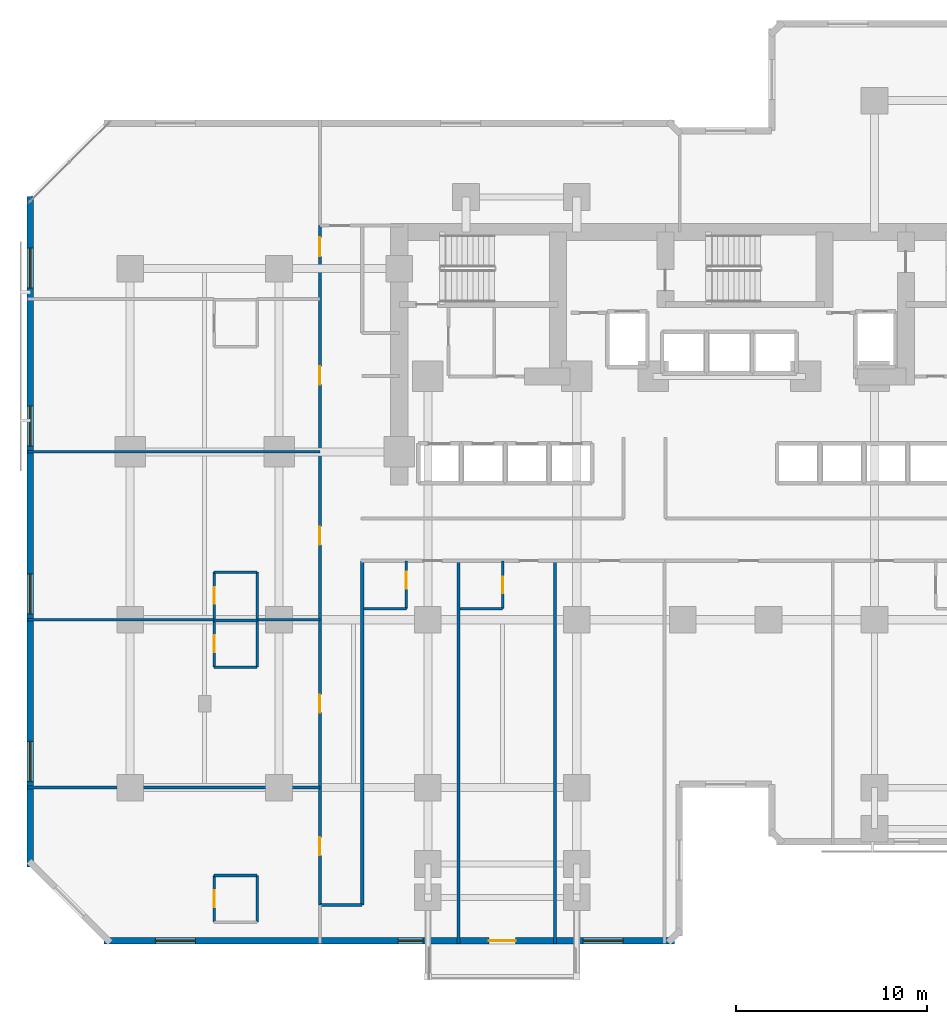
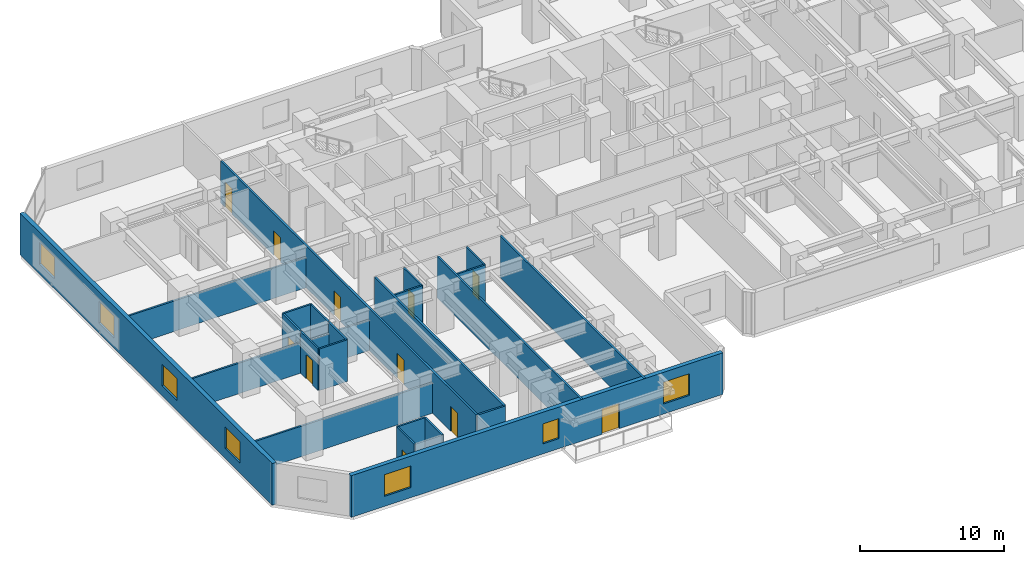
# One storey, part 5 of 12: 25 walls, 11 doors, 7 windows, 18 openings.
"""IFC4 building model written with IfcOpenShell, lengths in metres."""

from ifc_helpers import new_model, si_unit, direction, frame, frame_2d, origin, place, context, subcontext, project, spatial, rectangle, extrude, material, layer, layer_set, type_object, element, fill, save


model = new_model("IFC4")

# Units and contexts
model_context = context("Model", 3, precision=1e-05, world=origin(), true_north=direction((0.0, 1.0)))
body_context = subcontext(model_context, "Body", "Model", "MODEL_VIEW")
ifc_project = project(units=[si_unit("LENGTHUNIT", "METRE"), si_unit("AREAUNIT", "SQUARE_METRE"), si_unit("VOLUMEUNIT", "CUBIC_METRE"), si_unit("PLANEANGLEUNIT", "RADIAN"), si_unit("MASSUNIT", "GRAM", prefix="KILO")], contexts=[model_context])

# Site, building, storey
site_placement = place(None, origin())
site = spatial("IfcSite", under=ifc_project, at=site_placement, CompositionType="ELEMENT")
building_placement = place(site_placement, origin())
building = spatial("IfcBuilding", under=site, at=building_placement, Name="Kestravale Grand Hotel", CompositionType="ELEMENT")
storey_placement = place(building_placement, frame((0.0, 0.0, 64.0)))
storey = spatial("IfcBuildingStorey", under=building, at=storey_placement, Name="L15", CompositionType="ELEMENT", Elevation=64.0)

# Wall, openings, door, windows
ifc_material_1 = material(Name="Precast concrete f'c 45 MPa", Category="concrete")
ifc_layer_1 = layer(ifc_material_1, 0.340087890625)
ifc_layer_set_1 = layer_set([ifc_layer_1], Name="EW-PREC-340")
wall_type_1 = type_object("IfcWallType", Name="EW-PREC-340", PredefinedType="SOLIDWALL", material=ifc_layer_set_1)
wall_1_placement = place(storey_placement, frame((6.429931640625, 3.169921875, 0.0), z_axis=(0.0, 0.0, 1.0), x_axis=(1.0, 0.0, 0.0)))
wall_1 = element("IfcWall", 1, at=wall_1_placement, inside=storey, type_object=wall_type_1, Name="L15 fluted precast facade wall 1", PredefinedType="SOLIDWALL", context=body_context, shape_type="SweptSolid", body=[
    extrude(rectangle(XDim=29.89013671875, YDim=0.340087890625, at=frame_2d((14.945068359375, 0.0))), origin(), (0.0, 0.0, 1.0), 3.5400390625),
])
opening_1_placement = place(wall_1_placement, frame((20.169921875, 0.0, 0.0)))
opening_1 = element("IfcOpeningElement", 2, at=opening_1_placement, cuts=wall_1, Name="Opening D-TERR-1400", PredefinedType="OPENING", context=body_context, shape_type="SweptSolid", body=[
    extrude(rectangle(XDim=1.39990234375, YDim=2.14990234375, at=frame_2d((0.699951171875, 1.074951171875))), frame((0.0, 0.179931640625, 0.0), z_axis=(0.0, -1.0, 0.0), x_axis=(1.0, 0.0, 0.0)), (0.0, 0.0, 1.0), 0.360107421875),
])
opening_2_placement = place(wall_1_placement, frame((2.686279296875, 0.0, 0.85009765625)))
opening_2 = element("IfcOpeningElement", 3, at=opening_2_placement, cuts=wall_1, Name="Opening W-GUEST-2100", PredefinedType="OPENING", context=body_context, shape_type="SweptSolid", body=[
    extrude(rectangle(XDim=2.10009765625, YDim=1.85009765625, at=frame_2d((1.050048828125, 0.925048828125))), frame((0.0, 0.179931640625, 0.0), z_axis=(0.0, -1.0, 0.0), x_axis=(1.0, 0.0, 0.0)), (0.0, 0.0, 1.0), 0.360107421875),
])
opening_3_placement = place(wall_1_placement, frame((25.103759765625, 0.0, 0.85009765625)))
opening_3 = element("IfcOpeningElement", 4, at=opening_3_placement, cuts=wall_1, Name="Opening W-GUEST-2100", PredefinedType="OPENING", context=body_context, shape_type="SweptSolid", body=[
    extrude(rectangle(XDim=2.10009765625, YDim=1.85009765625, at=frame_2d((1.050048828125, 0.925048828125))), frame((0.0, 0.179931640625, 0.0), z_axis=(0.0, -1.0, 0.0), x_axis=(1.0, 0.0, 0.0)), (0.0, 0.0, 1.0), 0.360107421875),
])
opening_4_placement = place(wall_1_placement, frame((15.405029296875, 0.0, 0.85009765625)))
opening_4 = element("IfcOpeningElement", 5, at=opening_4_placement, cuts=wall_1, Name="Opening W-GUEST-1300", PredefinedType="OPENING", context=body_context, shape_type="SweptSolid", body=[
    extrude(rectangle(XDim=1.300048828125, YDim=1.699951171875, at=frame_2d((0.64990234375, 0.85009765625))), frame((0.0, 0.179931640625, 0.0), z_axis=(0.0, -1.0, 0.0), x_axis=(1.0, 0.0, 0.0)), (0.0, 0.0, 1.0), 0.360107421875),
])
ifc_material_2 = material(Name="Insulated glazed champagne-bronze aluminium door", Category="aluminium")
door_type_1 = type_object("IfcDoorType", Name="D-TERR-1400", OperationType="NOTDEFINED", PredefinedType="DOOR", material=ifc_material_2)
door_1_placement = place(opening_1_placement, origin())
door_1 = element("IfcDoor", 6, at=door_1_placement, inside=storey, type_object=door_type_1, Name="L15 outdoor garden terrace door", OperationType="DOUBLE_DOOR_SINGLE_SWING", OverallHeight=2.14990234375, OverallWidth=1.39990234375, PredefinedType="DOOR", context=body_context, shape_type="SweptSolid", body=[
    extrude(rectangle(XDim=1.39990234375, YDim=2.14990234375, at=frame_2d((0.699951171875, 1.074951171875))), frame((0.0, 0.02490234375, 0.0), z_axis=(0.0, -1.0, 0.0), x_axis=(1.0, 0.0, 0.0)), (0.0, 0.0, 1.0), 0.050048828125),
])
fill(opening_1, door_1)
ifc_material_3 = material(Name="Insulated low-E double glazing in aluminium frame", Category="aluminium")
window_type_1 = type_object("IfcWindowType", Name="W-GUEST-1300", PartitioningType="SINGLE_PANEL", PredefinedType="WINDOW", material=ifc_material_3)
window_1_placement = place(opening_4_placement, origin())
window_1 = element("IfcWindow", 7, at=window_1_placement, inside=storey, type_object=window_type_1, Name="L15 guestroom envelope window 1", OverallHeight=1.699951171875, OverallWidth=1.300048828125, PartitioningType="SINGLE_PANEL", PredefinedType="WINDOW", context=body_context, shape_type="SweptSolid", body=[
    extrude(rectangle(XDim=1.300048828125, YDim=1.699951171875, at=frame_2d((0.64990234375, 0.85009765625))), frame((0.0, 0.030029296875, 0.0), z_axis=(0.0, -1.0, 0.0), x_axis=(1.0, 0.0, 0.0)), (0.0, 0.0, 1.0), 0.06005859375),
])
fill(opening_4, window_1)
ifc_material_4 = material(Name="Insulated low-E double glazing in aluminium frame", Category="aluminium")
window_type_2 = type_object("IfcWindowType", Name="W-GUEST-2100", PartitioningType="DOUBLE_PANEL_VERTICAL", PredefinedType="WINDOW", material=ifc_material_4)
window_2_placement = place(opening_2_placement, origin())
window_2 = element("IfcWindow", 8, at=window_2_placement, inside=storey, type_object=window_type_2, Name="L15 exterior window 1.1", OverallHeight=1.85009765625, OverallWidth=2.10009765625, PartitioningType="SINGLE_PANEL", PredefinedType="WINDOW", context=body_context, shape_type="SweptSolid", body=[
    extrude(rectangle(XDim=2.10009765625, YDim=1.85009765625, at=frame_2d((1.050048828125, 0.925048828125))), frame((0.0, 0.030029296875, 0.0), z_axis=(0.0, -1.0, 0.0), x_axis=(1.0, 0.0, 0.0)), (0.0, 0.0, 1.0), 0.06005859375),
])
fill(opening_2, window_2)
window_3_placement = place(opening_3_placement, origin())
window_3 = element("IfcWindow", 9, at=window_3_placement, inside=storey, type_object=window_type_2, Name="L15 exterior window 1.2", OverallHeight=1.85009765625, OverallWidth=2.10009765625, PartitioningType="SINGLE_PANEL", PredefinedType="WINDOW", context=body_context, shape_type="SweptSolid", body=[
    extrude(rectangle(XDim=2.10009765625, YDim=1.85009765625, at=frame_2d((1.050048828125, 0.925048828125))), frame((0.0, 0.030029296875, 0.0), z_axis=(0.0, -1.0, 0.0), x_axis=(1.0, 0.0, 0.0)), (0.0, 0.0, 1.0), 0.06005859375),
])
fill(opening_3, window_3)

# Wall, openings, windows
wall_2_placement = place(storey_placement, frame((2.570068359375, 42.169921875, 0.0), z_axis=(0.0, 0.0, 1.0), x_axis=(0.0, -1.0, 0.0)))
wall_2 = element("IfcWall", 10, at=wall_2_placement, inside=storey, type_object=wall_type_1, Name="L15 fluted precast facade wall 19", PredefinedType="SOLIDWALL", context=body_context, shape_type="SweptSolid", body=[
    extrude(rectangle(XDim=35.139892578125, YDim=0.340087890625, at=frame_2d((17.56982421875, 0.0))), origin(), (0.0, 0.0, 1.0), 3.5400390625),
])
opening_5_placement = place(wall_2_placement, frame((2.6923828125, 0.0, 0.85009765625)))
opening_5 = element("IfcOpeningElement", 11, at=opening_5_placement, cuts=wall_2, Name="Opening W-GUEST-2100", PredefinedType="OPENING", context=body_context, shape_type="SweptSolid", body=[
    extrude(rectangle(XDim=2.10009765625, YDim=1.85009765625, at=frame_2d((1.050048828125, 0.925048828125))), frame((0.0, 0.179931640625, 0.0), z_axis=(0.0, -1.0, 0.0), x_axis=(1.0, 0.0, 0.0)), (0.0, 0.0, 1.0), 0.360107421875),
])
opening_6_placement = place(wall_2_placement, frame((10.9775390625, 0.0, 0.85009765625)))
opening_6 = element("IfcOpeningElement", 12, at=opening_6_placement, cuts=wall_2, Name="Opening W-GUEST-2100", PredefinedType="OPENING", context=body_context, shape_type="SweptSolid", body=[
    extrude(rectangle(XDim=2.10009765625, YDim=1.85009765625, at=frame_2d((1.050048828125, 0.925048828125))), frame((0.0, 0.179931640625, 0.0), z_axis=(0.0, -1.0, 0.0), x_axis=(1.0, 0.0, 0.0)), (0.0, 0.0, 1.0), 0.360107421875),
])
opening_7_placement = place(wall_2_placement, frame((19.762451171875, 0.0, 0.85009765625)))
opening_7 = element("IfcOpeningElement", 13, at=opening_7_placement, cuts=wall_2, Name="Opening W-GUEST-2100", PredefinedType="OPENING", context=body_context, shape_type="SweptSolid", body=[
    extrude(rectangle(XDim=2.10009765625, YDim=1.85009765625, at=frame_2d((1.050048828125, 0.925048828125))), frame((0.0, 0.179931640625, 0.0), z_axis=(0.0, -1.0, 0.0), x_axis=(1.0, 0.0, 0.0)), (0.0, 0.0, 1.0), 0.360107421875),
])
opening_8_placement = place(wall_2_placement, frame((28.547607421875, 0.0, 0.85009765625)))
opening_8 = element("IfcOpeningElement", 14, at=opening_8_placement, cuts=wall_2, Name="Opening W-GUEST-2100", PredefinedType="OPENING", context=body_context, shape_type="SweptSolid", body=[
    extrude(rectangle(XDim=2.10009765625, YDim=1.85009765625, at=frame_2d((1.050048828125, 0.925048828125))), frame((0.0, 0.179931640625, 0.0), z_axis=(0.0, -1.0, 0.0), x_axis=(1.0, 0.0, 0.0)), (0.0, 0.0, 1.0), 0.360107421875),
])
window_4_placement = place(opening_5_placement, origin())
window_4 = element("IfcWindow", 15, at=window_4_placement, inside=storey, type_object=window_type_2, Name="L15 exterior window 19.1", OverallHeight=1.85009765625, OverallWidth=2.10009765625, PartitioningType="SINGLE_PANEL", PredefinedType="WINDOW", context=body_context, shape_type="SweptSolid", body=[
    extrude(rectangle(XDim=2.10009765625, YDim=1.85009765625, at=frame_2d((1.050048828125, 0.925048828125))), frame((0.0, 0.030029296875, 0.0), z_axis=(0.0, -1.0, 0.0), x_axis=(1.0, 0.0, 0.0)), (0.0, 0.0, 1.0), 0.06005859375),
])
fill(opening_5, window_4)
window_5_placement = place(opening_6_placement, origin())
window_5 = element("IfcWindow", 16, at=window_5_placement, inside=storey, type_object=window_type_2, Name="L15 exterior window 19.2", OverallHeight=1.85009765625, OverallWidth=2.10009765625, PartitioningType="SINGLE_PANEL", PredefinedType="WINDOW", context=body_context, shape_type="SweptSolid", body=[
    extrude(rectangle(XDim=2.10009765625, YDim=1.85009765625, at=frame_2d((1.050048828125, 0.925048828125))), frame((0.0, 0.030029296875, 0.0), z_axis=(0.0, -1.0, 0.0), x_axis=(1.0, 0.0, 0.0)), (0.0, 0.0, 1.0), 0.06005859375),
])
fill(opening_6, window_5)
window_6_placement = place(opening_7_placement, origin())
window_6 = element("IfcWindow", 17, at=window_6_placement, inside=storey, type_object=window_type_2, Name="L15 exterior window 19.3", OverallHeight=1.85009765625, OverallWidth=2.10009765625, PartitioningType="SINGLE_PANEL", PredefinedType="WINDOW", context=body_context, shape_type="SweptSolid", body=[
    extrude(rectangle(XDim=2.10009765625, YDim=1.85009765625, at=frame_2d((1.050048828125, 0.925048828125))), frame((0.0, 0.030029296875, 0.0), z_axis=(0.0, -1.0, 0.0), x_axis=(1.0, 0.0, 0.0)), (0.0, 0.0, 1.0), 0.06005859375),
])
fill(opening_7, window_6)
window_7_placement = place(opening_8_placement, origin())
window_7 = element("IfcWindow", 18, at=window_7_placement, inside=storey, type_object=window_type_2, Name="L15 exterior window 19.4", OverallHeight=1.85009765625, OverallWidth=2.10009765625, PartitioningType="SINGLE_PANEL", PredefinedType="WINDOW", context=body_context, shape_type="SweptSolid", body=[
    extrude(rectangle(XDim=2.10009765625, YDim=1.85009765625, at=frame_2d((1.050048828125, 0.925048828125))), frame((0.0, 0.030029296875, 0.0), z_axis=(0.0, -1.0, 0.0), x_axis=(1.0, 0.0, 0.0)), (0.0, 0.0, 1.0), 0.06005859375),
])
fill(opening_8, window_7)

# Wall, openings, doors
ifc_material_5 = material(Name="Acoustic fire-rated gypsum board partition", Category="other")
ifc_layer_2 = layer(ifc_material_5, 0.159912109375)
ifc_layer_set_2 = layer_set([ifc_layer_2], Name="IW-CORR-160")
wall_type_2 = type_object("IfcWallType", Name="IW-CORR-160", PredefinedType="PARTITIONING", material=ifc_layer_set_2)
wall_3_placement = place(storey_placement, frame((17.739990234375, 5.050048828125, 0.0), z_axis=(0.0, 0.0, 1.0), x_axis=(0.0, 1.0, 0.0)))
wall_3 = element("IfcWall", 19, at=wall_3_placement, inside=storey, type_object=wall_type_2, Name="W-L15-SW-W", PredefinedType="PARTITIONING", context=body_context, shape_type="SweptSolid", body=[
    extrude(rectangle(XDim=35.599853515625, YDim=0.159912109375, at=frame_2d((17.7998046875, 0.0))), origin(), (0.0, 0.0, 1.0), 3.5400390625),
])
opening_9_placement = place(wall_3_placement, frame((2.60009765625, 0.0, 0.0)))
opening_9 = element("IfcOpeningElement", 20, at=opening_9_placement, cuts=wall_3, Name="Opening D-GUEST-950", PredefinedType="OPENING", context=body_context, shape_type="SweptSolid", body=[
    extrude(rectangle(XDim=0.949951171875, YDim=2.10009765625, at=frame_2d((0.47509765625, 1.050048828125))), frame((0.0, 0.08984375, 0.0), z_axis=(0.0, -1.0, 0.0), x_axis=(1.0, 0.0, 0.0)), (0.0, 0.0, 1.0), 0.179931640625),
])
opening_10_placement = place(wall_3_placement, frame((10.074951171875, 0.0, 0.0)))
opening_10 = element("IfcOpeningElement", 21, at=opening_10_placement, cuts=wall_3, Name="Opening D-GUEST-950", PredefinedType="OPENING", context=body_context, shape_type="SweptSolid", body=[
    extrude(rectangle(XDim=0.949951171875, YDim=2.10009765625, at=frame_2d((0.47509765625, 1.050048828125))), frame((0.0, 0.08984375, 0.0), z_axis=(0.0, -1.0, 0.0), x_axis=(1.0, 0.0, 0.0)), (0.0, 0.0, 1.0), 0.179931640625),
])
opening_11_placement = place(wall_3_placement, frame((18.875, 0.0, 0.0)))
opening_11 = element("IfcOpeningElement", 22, at=opening_11_placement, cuts=wall_3, Name="Opening D-GUEST-950", PredefinedType="OPENING", context=body_context, shape_type="SweptSolid", body=[
    extrude(rectangle(XDim=0.949951171875, YDim=2.10009765625, at=frame_2d((0.47509765625, 1.050048828125))), frame((0.0, 0.08984375, 0.0), z_axis=(0.0, -1.0, 0.0), x_axis=(1.0, 0.0, 0.0)), (0.0, 0.0, 1.0), 0.179931640625),
])
opening_12_placement = place(wall_3_placement, frame((27.27490234375, 0.0, 0.0)))
opening_12 = element("IfcOpeningElement", 23, at=opening_12_placement, cuts=wall_3, Name="Opening D-GUEST-950", PredefinedType="OPENING", context=body_context, shape_type="SweptSolid", body=[
    extrude(rectangle(XDim=0.949951171875, YDim=2.10009765625, at=frame_2d((0.47509765625, 1.050048828125))), frame((0.0, 0.08984375, 0.0), z_axis=(0.0, -1.0, 0.0), x_axis=(1.0, 0.0, 0.0)), (0.0, 0.0, 1.0), 0.179931640625),
])
opening_13_placement = place(wall_3_placement, frame((33.985595703125, 0.0, 0.0)))
opening_13 = element("IfcOpeningElement", 24, at=opening_13_placement, cuts=wall_3, Name="Opening D-GUEST-1000", PredefinedType="OPENING", context=body_context, shape_type="SweptSolid", body=[
    extrude(rectangle(XDim=1.0, YDim=2.14990234375, at=frame_2d((0.5, 1.074951171875))), frame((0.0, 0.08984375, 0.0), z_axis=(0.0, -1.0, 0.0), x_axis=(1.0, 0.0, 0.0)), (0.0, 0.0, 1.0), 0.179931640625),
])
ifc_material_6 = material(Name="Accessible walnut veneer hotel entrance fire door", Category="wood")
door_type_2 = type_object("IfcDoorType", Name="D-GUEST-1000", OperationType="NOTDEFINED", PredefinedType="DOOR", material=ifc_material_6)
door_2_placement = place(opening_13_placement, origin())
door_2 = element("IfcDoor", 25, at=door_2_placement, inside=storey, type_object=door_type_2, Name="D-L15-AMWW", OperationType="SINGLE_SWING_LEFT", OverallHeight=2.14990234375, OverallWidth=1.0, PredefinedType="DOOR", context=body_context, shape_type="SweptSolid", body=[
    extrude(rectangle(XDim=1.0, YDim=2.14990234375, at=frame_2d((0.5, 1.074951171875))), frame((0.0, 0.02490234375, 0.0), z_axis=(0.0, -1.0, 0.0), x_axis=(1.0, 0.0, 0.0)), (0.0, 0.0, 1.0), 0.050048828125),
])
fill(opening_13, door_2)
ifc_material_7 = material(Name="Walnut veneer hotel guestroom entrance fire door", Category="wood")
door_type_3 = type_object("IfcDoorType", Name="D-GUEST-950", OperationType="NOTDEFINED", PredefinedType="DOOR", material=ifc_material_7)
door_3_placement = place(opening_9_placement, origin())
door_3 = element("IfcDoor", 26, at=door_3_placement, inside=storey, type_object=door_type_3, Name="D-L15-U05-ENT", OperationType="SINGLE_SWING_RIGHT", OverallHeight=2.10009765625, OverallWidth=0.949951171875, PredefinedType="DOOR", context=body_context, shape_type="SweptSolid", body=[
    extrude(rectangle(XDim=0.949951171875, YDim=2.10009765625, at=frame_2d((0.47509765625, 1.050048828125))), frame((0.0, 0.02490234375, 0.0), z_axis=(0.0, -1.0, 0.0), x_axis=(1.0, 0.0, 0.0)), (0.0, 0.0, 1.0), 0.050048828125),
])
fill(opening_9, door_3)
door_4_placement = place(opening_10_placement, origin())
door_4 = element("IfcDoor", 27, at=door_4_placement, inside=storey, type_object=door_type_3, Name="D-L15-U06-ENT", OperationType="SINGLE_SWING_RIGHT", OverallHeight=2.10009765625, OverallWidth=0.949951171875, PredefinedType="DOOR", context=body_context, shape_type="SweptSolid", body=[
    extrude(rectangle(XDim=0.949951171875, YDim=2.10009765625, at=frame_2d((0.47509765625, 1.050048828125))), frame((0.0, 0.02490234375, 0.0), z_axis=(0.0, -1.0, 0.0), x_axis=(1.0, 0.0, 0.0)), (0.0, 0.0, 1.0), 0.050048828125),
])
fill(opening_10, door_4)
door_5_placement = place(opening_11_placement, origin())
door_5 = element("IfcDoor", 28, at=door_5_placement, inside=storey, type_object=door_type_3, Name="D-L15-U07-ENT", OperationType="SINGLE_SWING_RIGHT", OverallHeight=2.10009765625, OverallWidth=0.949951171875, PredefinedType="DOOR", context=body_context, shape_type="SweptSolid", body=[
    extrude(rectangle(XDim=0.949951171875, YDim=2.10009765625, at=frame_2d((0.47509765625, 1.050048828125))), frame((0.0, 0.02490234375, 0.0), z_axis=(0.0, -1.0, 0.0), x_axis=(1.0, 0.0, 0.0)), (0.0, 0.0, 1.0), 0.050048828125),
])
fill(opening_11, door_5)
door_6_placement = place(opening_12_placement, origin())
door_6 = element("IfcDoor", 29, at=door_6_placement, inside=storey, type_object=door_type_3, Name="D-L15-U08-ENT", OperationType="SINGLE_SWING_RIGHT", OverallHeight=2.10009765625, OverallWidth=0.949951171875, PredefinedType="DOOR", context=body_context, shape_type="SweptSolid", body=[
    extrude(rectangle(XDim=0.949951171875, YDim=2.10009765625, at=frame_2d((0.47509765625, 1.050048828125))), frame((0.0, 0.02490234375, 0.0), z_axis=(0.0, -1.0, 0.0), x_axis=(1.0, 0.0, 0.0)), (0.0, 0.0, 1.0), 0.050048828125),
])
fill(opening_12, door_6)

# Wall
wall_4_placement = place(storey_placement, frame((19.9599609375, 5.050048828125, 0.0), z_axis=(0.0, 0.0, 1.0), x_axis=(0.0, 1.0, 0.0)))
element("IfcWall", 30, at=wall_4_placement, inside=storey, type_object=wall_type_2, Name="W-L15-SW-E", PredefinedType="PARTITIONING", context=body_context, shape_type="SweptSolid", body=[
    extrude(rectangle(XDim=18.0400390625, YDim=0.159912109375, at=frame_2d((9.02001953125, 0.0))), origin(), (0.0, 0.0, 1.0), 3.5400390625),
])

# Wall, opening, door
ifc_material_8 = material(Name="Moisture-resistant tile-backer plumbing chase wall", Category="other")
ifc_layer_3 = layer(ifc_material_8, 0.139892578125)
ifc_layer_set_3 = layer_set([ifc_layer_3], Name="IW-PLB-140")
wall_type_3 = type_object("IfcWallType", Name="IW-PLB-140", PredefinedType="PLUMBINGWALL", material=ifc_layer_set_3)
wall_5_placement = place(storey_placement, frame((22.27001953125, 20.580078125, 0.0), z_axis=(0.0, 0.0, 1.0), x_axis=(0.0, 1.0, 0.0)))
wall_5 = element("IfcWall", 31, at=wall_5_placement, inside=storey, type_object=wall_type_3, Name="W-L15-U01-BE", PredefinedType="PLUMBINGWALL", context=body_context, shape_type="SweptSolid", body=[
    extrude(rectangle(XDim=2.489990234375, YDim=0.139892578125, at=frame_2d((1.2451171875, 0.0))), origin(), (0.0, 0.0, 1.0), 3.5400390625),
])
opening_14_placement = place(wall_5_placement, frame((1.055908203125, 0.0, 0.0)))
opening_14 = element("IfcOpeningElement", 32, at=opening_14_placement, cuts=wall_5, Name="Opening D-BATH-880", PredefinedType="OPENING", context=body_context, shape_type="SweptSolid", body=[
    extrude(rectangle(XDim=0.8798828125, YDim=2.050048828125, at=frame_2d((0.43994140625, 1.02490234375))), frame((0.0, 0.079833984375, 0.0), z_axis=(0.0, -1.0, 0.0), x_axis=(1.0, 0.0, 0.0)), (0.0, 0.0, 1.0), 0.159912109375),
])
ifc_material_9 = material(Name="Moisture-sealed walnut en-suite bathroom door", Category="wood")
door_type_4 = type_object("IfcDoorType", Name="D-BATH-880", OperationType="NOTDEFINED", PredefinedType="DOOR", material=ifc_material_9)
door_7_placement = place(opening_14_placement, origin())
door_7 = element("IfcDoor", 33, at=door_7_placement, inside=storey, type_object=door_type_4, Name="D-L15-U01-BATH", OperationType="SINGLE_SWING_LEFT", OverallHeight=2.050048828125, OverallWidth=0.8798828125, PredefinedType="DOOR", context=body_context, shape_type="SweptSolid", body=[
    extrude(rectangle(XDim=0.8798828125, YDim=2.050048828125, at=frame_2d((0.43994140625, 1.02490234375))), frame((0.0, 0.02490234375, 0.0), z_axis=(0.0, -1.0, 0.0), x_axis=(1.0, 0.0, 0.0)), (0.0, 0.0, 1.0), 0.050048828125),
])
fill(opening_14, door_7)

# Wall
wall_6_placement = place(storey_placement, frame((20.02001953125, 20.580078125, 0.0), z_axis=(0.0, 0.0, 1.0), x_axis=(1.0, 0.0, 0.0)))
element("IfcWall", 34, at=wall_6_placement, inside=storey, type_object=wall_type_3, Name="W-L15-U01-BS", PredefinedType="PLUMBINGWALL", context=body_context, shape_type="SweptSolid", body=[
    extrude(rectangle(XDim=2.25, YDim=0.139892578125, at=frame_2d((1.125, 0.0))), origin(), (0.0, 0.0, 1.0), 3.5400390625),
])

# Wall, opening, door
wall_7_placement = place(storey_placement, frame((27.320068359375, 20.580078125, 0.0), z_axis=(0.0, 0.0, 1.0), x_axis=(0.0, 1.0, 0.0)))
wall_7 = element("IfcWall", 35, at=wall_7_placement, inside=storey, type_object=wall_type_3, Name="W-L15-U02-BE", PredefinedType="PLUMBINGWALL", context=body_context, shape_type="SweptSolid", body=[
    extrude(rectangle(XDim=2.489990234375, YDim=0.139892578125, at=frame_2d((1.2451171875, 0.0))), origin(), (0.0, 0.0, 1.0), 3.5400390625),
])
opening_15_placement = place(wall_7_placement, frame((0.804931640625, 0.0, 0.0)))
opening_15 = element("IfcOpeningElement", 36, at=opening_15_placement, cuts=wall_7, Name="Opening D-BATH-880", PredefinedType="OPENING", context=body_context, shape_type="SweptSolid", body=[
    extrude(rectangle(XDim=0.8798828125, YDim=2.050048828125, at=frame_2d((0.43994140625, 1.02490234375))), frame((0.0, 0.079833984375, 0.0), z_axis=(0.0, -1.0, 0.0), x_axis=(1.0, 0.0, 0.0)), (0.0, 0.0, 1.0), 0.159912109375),
])
door_8_placement = place(opening_15_placement, origin())
door_8 = element("IfcDoor", 37, at=door_8_placement, inside=storey, type_object=door_type_4, Name="D-L15-U02-BATH", OperationType="SINGLE_SWING_LEFT", OverallHeight=2.050048828125, OverallWidth=0.8798828125, PredefinedType="DOOR", context=body_context, shape_type="SweptSolid", body=[
    extrude(rectangle(XDim=0.8798828125, YDim=2.050048828125, at=frame_2d((0.43994140625, 1.02490234375))), frame((0.0, 0.02490234375, 0.0), z_axis=(0.0, -1.0, 0.0), x_axis=(1.0, 0.0, 0.0)), (0.0, 0.0, 1.0), 0.050048828125),
])
fill(opening_15, door_8)

# Wall
wall_8_placement = place(storey_placement, frame((25.070068359375, 20.580078125, 0.0), z_axis=(0.0, 0.0, 1.0), x_axis=(1.0, 0.0, 0.0)))
element("IfcWall", 38, at=wall_8_placement, inside=storey, type_object=wall_type_3, Name="W-L15-U02-BS", PredefinedType="PLUMBINGWALL", context=body_context, shape_type="SweptSolid", body=[
    extrude(rectangle(XDim=2.25, YDim=0.139892578125, at=frame_2d((1.125, 0.0))), origin(), (0.0, 0.0, 1.0), 3.5400390625),
])

# Wall, opening, door
wall_9_placement = place(storey_placement, frame((12.199951171875, 4.14990234375, 0.0), z_axis=(0.0, 0.0, 1.0), x_axis=(0.0, 1.0, 0.0)))
wall_9 = element("IfcWall", 39, at=wall_9_placement, inside=storey, type_object=wall_type_3, Name="W-L15-U05-BW", PredefinedType="PLUMBINGWALL", context=body_context, shape_type="SweptSolid", body=[
    extrude(rectangle(XDim=2.4501953125, YDim=0.139892578125, at=frame_2d((1.22509765625, 0.0))), origin(), (0.0, 0.0, 1.0), 3.5400390625),
])
opening_16_placement = place(wall_9_placement, frame((0.784912109375, 0.0, 0.0)))
opening_16 = element("IfcOpeningElement", 40, at=opening_16_placement, cuts=wall_9, Name="Opening D-BATH-880", PredefinedType="OPENING", context=body_context, shape_type="SweptSolid", body=[
    extrude(rectangle(XDim=0.8798828125, YDim=2.050048828125, at=frame_2d((0.43994140625, 1.02490234375))), frame((0.0, 0.079833984375, 0.0), z_axis=(0.0, -1.0, 0.0), x_axis=(1.0, 0.0, 0.0)), (0.0, 0.0, 1.0), 0.159912109375),
])
door_9_placement = place(opening_16_placement, origin())
door_9 = element("IfcDoor", 41, at=door_9_placement, inside=storey, type_object=door_type_4, Name="D-L15-U05-BATH", OperationType="SINGLE_SWING_LEFT", OverallHeight=2.050048828125, OverallWidth=0.8798828125, PredefinedType="DOOR", context=body_context, shape_type="SweptSolid", body=[
    extrude(rectangle(XDim=0.8798828125, YDim=2.050048828125, at=frame_2d((0.43994140625, 1.02490234375))), frame((0.0, 0.02490234375, 0.0), z_axis=(0.0, -1.0, 0.0), x_axis=(1.0, 0.0, 0.0)), (0.0, 0.0, 1.0), 0.050048828125),
])
fill(opening_16, door_9)

# Walls
wall_10_placement = place(storey_placement, frame((14.449951171875, 4.14990234375, 0.0), z_axis=(0.0, 0.0, 1.0), x_axis=(0.0, 1.0, 0.0)))
element("IfcWall", 42, at=wall_10_placement, inside=storey, type_object=wall_type_3, Name="W-L15-U05-BE", PredefinedType="PLUMBINGWALL", context=body_context, shape_type="SweptSolid", body=[
    extrude(rectangle(XDim=2.4501953125, YDim=0.139892578125, at=frame_2d((1.22509765625, 0.0))), origin(), (0.0, 0.0, 1.0), 3.5400390625),
])
wall_11_placement = place(storey_placement, frame((12.199951171875, 6.60009765625, 0.0), z_axis=(0.0, 0.0, 1.0), x_axis=(1.0, 0.0, 0.0)))
element("IfcWall", 43, at=wall_11_placement, inside=storey, type_object=wall_type_3, Name="W-L15-U05-BN", PredefinedType="PLUMBINGWALL", context=body_context, shape_type="SweptSolid", body=[
    extrude(rectangle(XDim=2.25, YDim=0.139892578125, at=frame_2d((1.125, 0.0))), origin(), (0.0, 0.0, 1.0), 3.5400390625),
])

# Wall, opening, door
wall_12_placement = place(storey_placement, frame((12.199951171875, 17.510009765625, 0.0), z_axis=(0.0, 0.0, 1.0), x_axis=(0.0, 1.0, 0.0)))
wall_12 = element("IfcWall", 44, at=wall_12_placement, inside=storey, type_object=wall_type_3, Name="W-L15-U06-BW", PredefinedType="PLUMBINGWALL", context=body_context, shape_type="SweptSolid", body=[
    extrude(rectangle(XDim=2.449951171875, YDim=0.139892578125, at=frame_2d((1.22509765625, 0.0))), origin(), (0.0, 0.0, 1.0), 3.5400390625),
])
opening_17_placement = place(wall_12_placement, frame((0.784912109375, 0.0, 0.0)))
opening_17 = element("IfcOpeningElement", 45, at=opening_17_placement, cuts=wall_12, Name="Opening D-BATH-880", PredefinedType="OPENING", context=body_context, shape_type="SweptSolid", body=[
    extrude(rectangle(XDim=0.8798828125, YDim=2.050048828125, at=frame_2d((0.43994140625, 1.02490234375))), frame((0.0, 0.079833984375, 0.0), z_axis=(0.0, -1.0, 0.0), x_axis=(1.0, 0.0, 0.0)), (0.0, 0.0, 1.0), 0.159912109375),
])
door_10_placement = place(opening_17_placement, origin())
door_10 = element("IfcDoor", 46, at=door_10_placement, inside=storey, type_object=door_type_4, Name="D-L15-U06-BATH", OperationType="SINGLE_SWING_LEFT", OverallHeight=2.050048828125, OverallWidth=0.8798828125, PredefinedType="DOOR", context=body_context, shape_type="SweptSolid", body=[
    extrude(rectangle(XDim=0.8798828125, YDim=2.050048828125, at=frame_2d((0.43994140625, 1.02490234375))), frame((0.0, 0.02490234375, 0.0), z_axis=(0.0, -1.0, 0.0), x_axis=(1.0, 0.0, 0.0)), (0.0, 0.0, 1.0), 0.050048828125),
])
fill(opening_17, door_10)

# Walls
wall_13_placement = place(storey_placement, frame((14.449951171875, 17.510009765625, 0.0), z_axis=(0.0, 0.0, 1.0), x_axis=(0.0, 1.0, 0.0)))
element("IfcWall", 47, at=wall_13_placement, inside=storey, type_object=wall_type_3, Name="W-L15-U06-BE", PredefinedType="PLUMBINGWALL", context=body_context, shape_type="SweptSolid", body=[
    extrude(rectangle(XDim=2.449951171875, YDim=0.139892578125, at=frame_2d((1.22509765625, 0.0))), origin(), (0.0, 0.0, 1.0), 3.5400390625),
])
wall_14_placement = place(storey_placement, frame((12.199951171875, 17.510009765625, 0.0), z_axis=(0.0, 0.0, 1.0), x_axis=(1.0, 0.0, 0.0)))
element("IfcWall", 48, at=wall_14_placement, inside=storey, type_object=wall_type_3, Name="W-L15-U06-BS", PredefinedType="PLUMBINGWALL", context=body_context, shape_type="SweptSolid", body=[
    extrude(rectangle(XDim=2.25, YDim=0.139892578125, at=frame_2d((1.125, 0.0))), origin(), (0.0, 0.0, 1.0), 3.5400390625),
])
wall_15_placement = place(storey_placement, frame((12.199951171875, 19.9599609375, 0.0), z_axis=(0.0, 0.0, 1.0), x_axis=(1.0, 0.0, 0.0)))
element("IfcWall", 49, at=wall_15_placement, inside=storey, type_object=wall_type_3, Name="W-L15-U06-BN", PredefinedType="PLUMBINGWALL", context=body_context, shape_type="SweptSolid", body=[
    extrude(rectangle(XDim=2.25, YDim=0.139892578125, at=frame_2d((1.125, 0.0))), origin(), (0.0, 0.0, 1.0), 2.593017578125),
])

# Wall, opening, door
wall_16_placement = place(storey_placement, frame((12.199951171875, 20.0400390625, 0.0), z_axis=(0.0, 0.0, 1.0), x_axis=(0.0, 1.0, 0.0)))
wall_16 = element("IfcWall", 50, at=wall_16_placement, inside=storey, type_object=wall_type_3, Name="W-L15-U07-BW", PredefinedType="PLUMBINGWALL", context=body_context, shape_type="SweptSolid", body=[
    extrude(rectangle(XDim=2.449951171875, YDim=0.139892578125, at=frame_2d((1.22509765625, 0.0))), origin(), (0.0, 0.0, 1.0), 3.5400390625),
])
opening_18_placement = place(wall_16_placement, frame((0.784912109375, 0.0, 0.0)))
opening_18 = element("IfcOpeningElement", 51, at=opening_18_placement, cuts=wall_16, Name="Opening D-BATH-880", PredefinedType="OPENING", context=body_context, shape_type="SweptSolid", body=[
    extrude(rectangle(XDim=0.8798828125, YDim=2.050048828125, at=frame_2d((0.43994140625, 1.02490234375))), frame((0.0, 0.079833984375, 0.0), z_axis=(0.0, -1.0, 0.0), x_axis=(1.0, 0.0, 0.0)), (0.0, 0.0, 1.0), 0.159912109375),
])
door_11_placement = place(opening_18_placement, origin())
door_11 = element("IfcDoor", 52, at=door_11_placement, inside=storey, type_object=door_type_4, Name="D-L15-U07-BATH", OperationType="SINGLE_SWING_LEFT", OverallHeight=2.050048828125, OverallWidth=0.8798828125, PredefinedType="DOOR", context=body_context, shape_type="SweptSolid", body=[
    extrude(rectangle(XDim=0.8798828125, YDim=2.050048828125, at=frame_2d((0.43994140625, 1.02490234375))), frame((0.0, 0.02490234375, 0.0), z_axis=(0.0, -1.0, 0.0), x_axis=(1.0, 0.0, 0.0)), (0.0, 0.0, 1.0), 0.050048828125),
])
fill(opening_18, door_11)

# Walls
wall_17_placement = place(storey_placement, frame((14.449951171875, 20.0400390625, 0.0), z_axis=(0.0, 0.0, 1.0), x_axis=(0.0, 1.0, 0.0)))
element("IfcWall", 53, at=wall_17_placement, inside=storey, type_object=wall_type_3, Name="W-L15-U07-BE", PredefinedType="PLUMBINGWALL", context=body_context, shape_type="SweptSolid", body=[
    extrude(rectangle(XDim=2.449951171875, YDim=0.139892578125, at=frame_2d((1.22509765625, 0.0))), origin(), (0.0, 0.0, 1.0), 3.5400390625),
])
wall_18_placement = place(storey_placement, frame((12.199951171875, 22.489990234375, 0.0), z_axis=(0.0, 0.0, 1.0), x_axis=(1.0, 0.0, 0.0)))
element("IfcWall", 54, at=wall_18_placement, inside=storey, type_object=wall_type_3, Name="W-L15-U07-BN", PredefinedType="PLUMBINGWALL", context=body_context, shape_type="SweptSolid", body=[
    extrude(rectangle(XDim=2.25, YDim=0.139892578125, at=frame_2d((1.125, 0.0))), origin(), (0.0, 0.0, 1.0), 3.5400390625),
])
ifc_material_10 = material(Name="Double-stud STC 52 acoustic demising partition", Category="other")
ifc_layer_4 = layer(ifc_material_10, 0.14990234375)
ifc_layer_set_4 = layer_set([ifc_layer_4], Name="IW-UNIT-150")
wall_type_4 = type_object("IfcWallType", Name="IW-UNIT-150", PredefinedType="PARTITIONING", material=ifc_layer_set_4)
wall_19_placement = place(storey_placement, frame((17.739990234375, 5.050048828125, 0.0), z_axis=(0.0, 0.0, 1.0), x_axis=(1.0, 0.0, 0.0)))
element("IfcWall", 55, at=wall_19_placement, inside=storey, type_object=wall_type_4, Name="W-L15-SW-S", PredefinedType="PARTITIONING", context=body_context, shape_type="SweptSolid", body=[
    extrude(rectangle(XDim=2.219970703125, YDim=0.14990234375, at=frame_2d((1.10986328125, 0.0))), origin(), (0.0, 0.0, 1.0), 3.5400390625),
])
for number, where, z_axis, x_axis, name in (
    (56, (25.010009765625, 3.02001953125, 0.0), (0.0, 0.0, 1.0), (0.0, 1.0, 0.0), "W-L15-WS-1"),
    (57, (30.06005859375, 3.02001953125, 0.0), (0.0, 0.0, 1.0), (0.0, 1.0, 0.0), "W-L15-WS-2"),
):
    element("IfcWall", number, at=place(storey_placement, frame(where, z_axis=z_axis, x_axis=x_axis)), inside=storey, type_object=wall_type_4, Name=name, PredefinedType="PARTITIONING", context=body_context, shape_type="SweptSolid", body=[
        extrude(rectangle(XDim=20.070068359375, YDim=0.14990234375, at=frame_2d((10.03515625, 0.0))), origin(), (0.0, 0.0, 1.0), 3.5400390625),
    ])
wall_20_placement = place(storey_placement, frame((2.419921875, 11.199951171875, 0.0), z_axis=(0.0, 0.0, 1.0), x_axis=(1.0, 0.0, 0.0)))
element("IfcWall", 58, at=wall_20_placement, inside=storey, type_object=wall_type_4, Name="W-L15-WW-1", PredefinedType="PARTITIONING", context=body_context, shape_type="SweptSolid", body=[
    extrude(rectangle(XDim=15.320068359375, YDim=0.14990234375, at=frame_2d((7.66015625, 0.0))), origin(), (0.0, 0.0, 1.0), 2.593017578125),
])
wall_21_placement = place(storey_placement, frame((2.419921875, 20.0, 0.0), z_axis=(0.0, 0.0, 1.0), x_axis=(1.0, 0.0, 0.0)))
element("IfcWall", 59, at=wall_21_placement, inside=storey, type_object=wall_type_4, Name="W-L15-WW-2", PredefinedType="PARTITIONING", context=body_context, shape_type="SweptSolid", body=[
    extrude(rectangle(XDim=9.780029296875, YDim=0.14990234375, at=frame_2d((4.89013671875, 0.0))), origin(), (0.0, 0.0, 1.0), 2.593017578125),
])
wall_22_placement = place(storey_placement, frame((14.449951171875, 20.0, 0.0), z_axis=(0.0, 0.0, 1.0), x_axis=(1.0, 0.0, 0.0)))
element("IfcWall", 60, at=wall_22_placement, inside=storey, type_object=wall_type_4, Name="W-L15-WW-2", PredefinedType="PARTITIONING", context=body_context, shape_type="SweptSolid", body=[
    extrude(rectangle(XDim=3.2900390625, YDim=0.14990234375, at=frame_2d((1.64501953125, 0.0))), origin(), (0.0, 0.0, 1.0), 2.593017578125),
])
wall_23_placement = place(storey_placement, frame((2.419921875, 28.800048828125, 0.0), z_axis=(0.0, 0.0, 1.0), x_axis=(1.0, 0.0, 0.0)))
element("IfcWall", 61, at=wall_23_placement, inside=storey, type_object=wall_type_4, Name="W-L15-WW-3", PredefinedType="PARTITIONING", context=body_context, shape_type="SweptSolid", body=[
    extrude(rectangle(XDim=15.320068359375, YDim=0.14990234375, at=frame_2d((7.66015625, 0.0))), origin(), (0.0, 0.0, 1.0), 2.593017578125),
])

save(model, "model.ifc")
